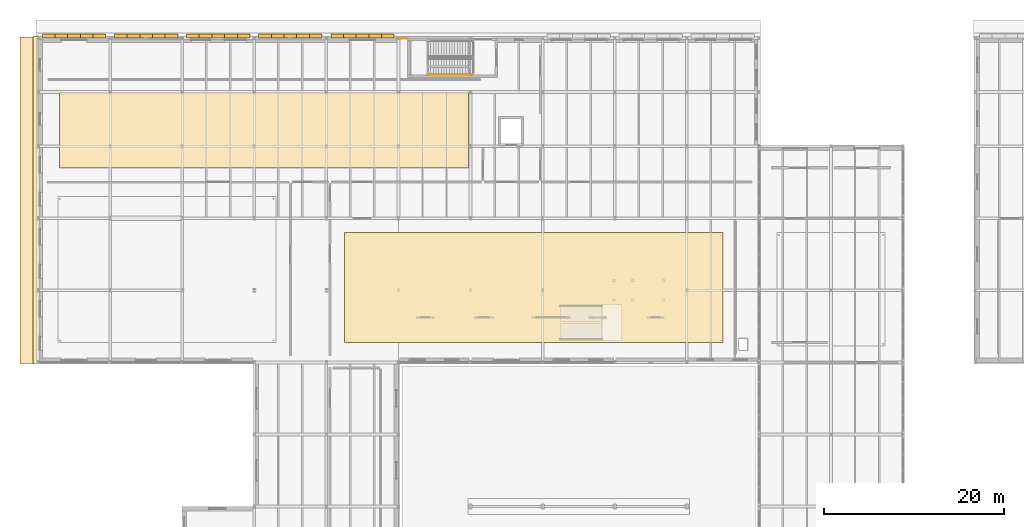
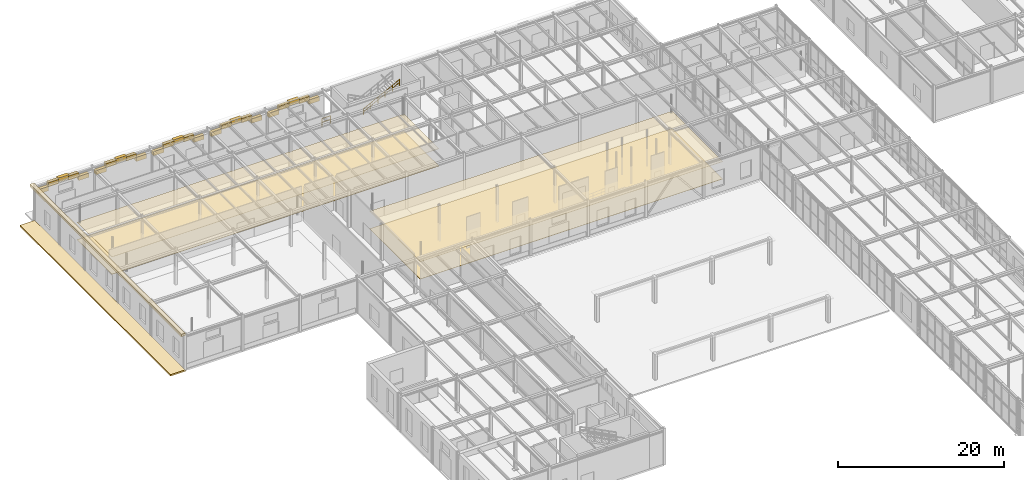
# One storey, part 117 of 129: 31 coverings, 2 railings.
"""IFC4 building model written with IfcOpenShell, lengths in metres."""

from ifc_helpers import new_model, si_unit, direction, frame, origin, origin_2d, place, context, subcontext, project, spatial, polyline, rectangle, circle, outline, extrude, material, layer, layer_set, type_object, element, save


model = new_model("IFC4")

# Units and contexts
model_context = context("Model", 3, precision=1e-05, world=origin(), true_north=direction((0.0, 1.0)))
body_context = subcontext(model_context, "Body", "Model", "MODEL_VIEW")
ifc_project = project(units=[si_unit("LENGTHUNIT", "METRE"), si_unit("AREAUNIT", "SQUARE_METRE"), si_unit("VOLUMEUNIT", "CUBIC_METRE"), si_unit("PLANEANGLEUNIT", "RADIAN"), si_unit("MASSUNIT", "GRAM", prefix="KILO")], contexts=[model_context])

# Site, building, storey
site_placement = place(None, origin())
site = spatial("IfcSite", under=ifc_project, at=site_placement, CompositionType="ELEMENT")
building_placement = place(site_placement, origin())
building = spatial("IfcBuilding", under=site, at=building_placement, Name="Sundkrona Museum", CompositionType="ELEMENT")
storey_placement = place(building_placement, origin())
storey = spatial("IfcBuildingStorey", under=building, at=storey_placement, Name="L00", CompositionType="ELEMENT", Elevation=0.0)

# Coverings
ifc_material_1 = material(Name="Perforated Acoustic Gypsum and Mineral Wool Ceiling", Category="other")
ifc_layer_1 = layer(ifc_material_1, 0.0400390625)
ifc_layer_set_1 = layer_set([ifc_layer_1], Name="Perforated Acoustic Gypsum and Mineral Wool Ceiling")
covering_type_1 = type_object("IfcCoveringType", Name="COV-CEIL-AC", PredefinedType="CEILING", material=ifc_layer_set_1)
covering_1_placement = place(storey_placement, frame((0.0, 0.0, 2.550048828125)))
element("IfcCovering", 1, at=covering_1_placement, inside=storey, type_object=covering_type_1, Name="L00 Sculpture Cloister Gallery Acoustic Ceiling", PredefinedType="CEILING", context=body_context, shape_type="SweptSolid", body=[
    extrude(outline(polyline([(34.0, 80.199951171875), (76.0, 80.199951171875), (76.0, 92.39990234375), (34.0, 92.39990234375), (34.0, 80.199951171875)])), origin(), (0.0, 0.0, 1.0), 0.0400390625),
])
covering_2_placement = place(storey_placement, frame((0.0, 0.0, 2.550048828125)))
element("IfcCovering", 2, at=covering_2_placement, inside=storey, type_object=covering_type_1, Name="L00 Temporary Exhibition Hall Acoustic Ceiling", PredefinedType="CEILING", context=body_context, shape_type="SweptSolid", body=[
    extrude(outline(polyline([(2.39990234375, 99.60009765625), (47.800048828125, 99.60009765625), (47.800048828125, 108.0), (2.39990234375, 108.0), (2.39990234375, 99.60009765625)])), origin(), (0.0, 0.0, 1.0), 0.0400390625),
])
ifc_material_2 = material(Name="Frost-Resistant Vitrified Stoneware Mosaic Cladding", Category="masonry")
ifc_layer_2 = layer(ifc_material_2, 0.044921875)
ifc_layer_set_2 = layer_set([ifc_layer_2], Name="Frost-Resistant Vitrified Stoneware Mosaic Cladding")
covering_type_2 = type_object("IfcCoveringType", Name="COV-CLD-MOS", PredefinedType="CLADDING", material=ifc_layer_set_2)
for number, where, z_axis, x_axis, name in (
    (3, (1.199951171875, 114.219970703125, 3.75390625), (0.0, 0.0, 1.0), (1.0, 0.0, 0.0), "Catalan Modernisme Parabolic Arch Voussoir NA-041"),
    (4, (2.60009765625, 114.219970703125, 4.305908203125), (0.0, 0.0, 1.0), (1.0, 0.0, 0.0), "Catalan Modernisme Parabolic Arch Voussoir NA-042"),
    (5, (4.0, 114.219970703125, 4.489990234375), (0.0, 0.0, 1.0), (1.0, 0.0, 0.0), "Catalan Modernisme Parabolic Arch Voussoir NA-043"),
    (6, (5.39990234375, 114.219970703125, 4.305908203125), (0.0, 0.0, 1.0), (1.0, 0.0, 0.0), "Catalan Modernisme Parabolic Arch Voussoir NA-044"),
    (7, (6.800048828125, 114.219970703125, 3.75390625), (0.0, 0.0, 1.0), (1.0, 0.0, 0.0), "Catalan Modernisme Parabolic Arch Voussoir NA-045"),
    (8, (9.199951171875, 114.219970703125, 3.75390625), (0.0, 0.0, 1.0), (1.0, 0.0, 0.0), "Catalan Modernisme Parabolic Arch Voussoir NA-046"),
    (9, (10.60009765625, 114.219970703125, 4.305908203125), (0.0, 0.0, 1.0), (1.0, 0.0, 0.0), "Catalan Modernisme Parabolic Arch Voussoir NA-047"),
    (10, (12.0, 114.219970703125, 4.489990234375), (0.0, 0.0, 1.0), (1.0, 0.0, 0.0), "Catalan Modernisme Parabolic Arch Voussoir NA-048"),
    (11, (13.39990234375, 114.219970703125, 4.305908203125), (0.0, 0.0, 1.0), (1.0, 0.0, 0.0), "Catalan Modernisme Parabolic Arch Voussoir NA-049"),
    (12, (14.800048828125, 114.219970703125, 3.75390625), (0.0, 0.0, 1.0), (1.0, 0.0, 0.0), "Catalan Modernisme Parabolic Arch Voussoir NA-050"),
    (13, (17.199951171875, 114.219970703125, 3.75390625), (0.0, 0.0, 1.0), (1.0, 0.0, 0.0), "Catalan Modernisme Parabolic Arch Voussoir NA-051"),
    (14, (18.60009765625, 114.219970703125, 4.305908203125), (0.0, 0.0, 1.0), (1.0, 0.0, 0.0), "Catalan Modernisme Parabolic Arch Voussoir NA-052"),
    (15, (20.0, 114.219970703125, 4.489990234375), (0.0, 0.0, 1.0), (1.0, 0.0, 0.0), "Catalan Modernisme Parabolic Arch Voussoir NA-053"),
    (16, (21.39990234375, 114.219970703125, 4.305908203125), (0.0, 0.0, 1.0), (1.0, 0.0, 0.0), "Catalan Modernisme Parabolic Arch Voussoir NA-054"),
    (17, (22.800048828125, 114.219970703125, 3.75390625), (0.0, 0.0, 1.0), (1.0, 0.0, 0.0), "Catalan Modernisme Parabolic Arch Voussoir NA-055"),
    (18, (25.199951171875, 114.219970703125, 3.75390625), (0.0, 0.0, 1.0), (1.0, 0.0, 0.0), "Catalan Modernisme Parabolic Arch Voussoir NA-056"),
    (19, (26.60009765625, 114.219970703125, 4.305908203125), (0.0, 0.0, 1.0), (1.0, 0.0, 0.0), "Catalan Modernisme Parabolic Arch Voussoir NA-057"),
    (20, (28.0, 114.219970703125, 4.489990234375), (0.0, 0.0, 1.0), (1.0, 0.0, 0.0), "Catalan Modernisme Parabolic Arch Voussoir NA-058"),
    (21, (29.39990234375, 114.219970703125, 4.305908203125), (0.0, 0.0, 1.0), (1.0, 0.0, 0.0), "Catalan Modernisme Parabolic Arch Voussoir NA-059"),
    (22, (30.800048828125, 114.219970703125, 3.75390625), (0.0, 0.0, 1.0), (1.0, 0.0, 0.0), "Catalan Modernisme Parabolic Arch Voussoir NA-060"),
    (23, (33.199951171875, 114.219970703125, 3.75390625), (0.0, 0.0, 1.0), (1.0, 0.0, 0.0), "Catalan Modernisme Parabolic Arch Voussoir NA-061"),
    (24, (34.60009765625, 114.219970703125, 4.305908203125), (0.0, 0.0, 1.0), (1.0, 0.0, 0.0), "Catalan Modernisme Parabolic Arch Voussoir NA-062"),
    (25, (36.0, 114.219970703125, 4.489990234375), (0.0, 0.0, 1.0), (1.0, 0.0, 0.0), "Catalan Modernisme Parabolic Arch Voussoir NA-063"),
    (26, (37.39990234375, 114.219970703125, 4.305908203125), (0.0, 0.0, 1.0), (1.0, 0.0, 0.0), "Catalan Modernisme Parabolic Arch Voussoir NA-064"),
    (27, (38.800048828125, 114.219970703125, 3.75390625), (0.0, 0.0, 1.0), (1.0, 0.0, 0.0), "Catalan Modernisme Parabolic Arch Voussoir NA-065"),
):
    element("IfcCovering", number, at=place(storey_placement, frame(where, z_axis=z_axis, x_axis=x_axis)), inside=storey, type_object=covering_type_2, Name=name, PredefinedType="CLADDING", context=body_context, shape_type="SweptSolid", body=[
        extrude(rectangle(XDim=1.419921875, YDim=0.4599609375, at=origin_2d()), origin(), (0.0, 0.0, 1.0), 0.6201171875),
    ])
covering_3_placement = place(storey_placement, frame((-0.280029296875, 96.0, 5.10986328125), z_axis=(0.0, 0.0, 1.0), x_axis=(1.0, 0.0, 0.0)))
element("IfcCovering", 28, at=covering_3_placement, inside=storey, type_object=covering_type_2, Name="Classical Corbelled Terracotta Cornice (CRN-V3-W)", PredefinedType="CLADDING", context=body_context, shape_type="SweptSolid", body=[
    extrude(rectangle(XDim=0.580078125, YDim=36.39990234375, at=origin_2d()), origin(), (0.0, 0.0, 1.0), 0.340087890625),
])
covering_4_placement = place(storey_placement, frame((0.0, 0.0, -0.219970703125)))
element("IfcCovering", 29, at=covering_4_placement, inside=storey, type_object=covering_type_2, Name="Granite Street and Forecourt Civic Plinth (COV-PLN-WEST)", PredefinedType="CLADDING", context=body_context, shape_type="SweptSolid", body=[
    extrude(outline(polyline([(-2.0, 77.89990234375), (0.050048828125, 77.89990234375), (0.050048828125, 114.10009765625), (-2.0, 114.10009765625), (-2.0, 77.89990234375)])), origin(), (0.0, 0.0, 1.0), 0.2099609375),
])
ifc_material_3 = material(Name="Polished Scanian Limestone Terrazzo Flooring", Category="masonry")
ifc_layer_3 = layer(ifc_material_3, 0.034912109375)
ifc_layer_set_3 = layer_set([ifc_layer_3], Name="Polished Scanian Limestone Terrazzo Flooring")
covering_type_3 = type_object("IfcCoveringType", Name="COV-FLR-TZ", PredefinedType="FLOORING", material=ifc_layer_set_3)
covering_5_placement = place(storey_placement, origin())
element("IfcCovering", 30, at=covering_5_placement, inside=storey, type_object=covering_type_3, Name="L00 Sculpture Cloister Gallery Terrazzo Flooring", PredefinedType="FLOORING", context=body_context, shape_type="SweptSolid", body=[
    extrude(outline(polyline([(34.0, 80.199951171875), (76.0, 80.199951171875), (76.0, 92.39990234375), (34.0, 92.39990234375), (34.0, 80.199951171875)])), origin(), (0.0, 0.0, 1.0), 0.034912109375),
])
covering_6_placement = place(storey_placement, origin())
element("IfcCovering", 31, at=covering_6_placement, inside=storey, type_object=covering_type_3, Name="L00 Temporary Exhibition Hall Terrazzo Flooring", PredefinedType="FLOORING", context=body_context, shape_type="SweptSolid", body=[
    extrude(outline(polyline([(2.39990234375, 99.60009765625), (47.800048828125, 99.60009765625), (47.800048828125, 108.0), (2.39990234375, 108.0), (2.39990234375, 99.60009765625)])), origin(), (0.0, 0.0, 1.0), 0.034912109375),
])

# Railings
ifc_material_4 = material(Name="Painted Steel S355J2 and Laminated Glass Balustrade", Category="steel")
railing_type_1 = type_object("IfcRailingType", Name="RL-GUARD-1100", PredefinedType="BALUSTRADE", material=ifc_material_4)
railing_1_placement = place(storey_placement, frame((39.85009765625, 113.93994140625, 0.0)))
element("IfcRailing", 32, at=railing_1_placement, inside=storey, type_object=railing_type_1, Name="L00 Edge Protection Balustrade 003", PredefinedType="BALUSTRADE", context=body_context, shape_type="SweptSolid", body=[
    extrude(circle(Radius=0.02392578125, at=origin_2d()), frame((0.0, 0.0, 1.09619140625), z_axis=(1.0, 0.0, 0.0), x_axis=(0.0, 1.0, 0.0)), (0.0, 0.0, 1.0), 1.14990234375),
    extrude(circle(Radius=0.02392578125, at=origin_2d()), frame((0.0, 0.0, 0.56005859375), z_axis=(1.0, 0.0, 0.0), x_axis=(0.0, 1.0, 0.0)), (0.0, 0.0, 1.0), 1.14990234375),
    extrude(circle(Radius=0.02099609375, at=origin_2d()), origin(), (0.0, 0.0, 1.0), 1.072021484375),
    extrude(circle(Radius=0.02099609375, at=origin_2d()), frame((1.14990234375, 0.0, 0.0)), (0.0, 0.0, 1.0), 1.072021484375),
])
ifc_material_5 = material(Name="Brushed Bronze-Clad Steel Handrail", Category="steel")
railing_type_2 = type_object("IfcRailingType", Name="RL-HAND-900", PredefinedType="HANDRAIL", material=ifc_material_5)
railing_2_placement = place(storey_placement, frame((43.284912109375, 109.949951171875, 2.85009765625)))
element("IfcRailing", 33, at=railing_2_placement, inside=storey, type_object=railing_type_2, Name="L00 ST-3 stair handrail 2", PredefinedType="HANDRAIL", context=body_context, shape_type="SweptSolid", body=[
    extrude(circle(Radius=0.02392578125, at=origin_2d()), frame((0.0, 0.0, 0.8759765625), z_axis=(0.891404147206, 0.0, 0.453209274336), x_axis=(0.0, 1.0, 0.0)), (0.0, 0.0, 1.0), 5.626220703125),
    extrude(circle(Radius=0.02392578125, at=origin_2d()), frame((0.0, 0.0, 0.449951171875), z_axis=(0.891404147206, 0.0, 0.453209274336), x_axis=(0.0, 1.0, 0.0)), (0.0, 0.0, 1.0), 5.626220703125),
    extrude(circle(Radius=0.02099609375, at=origin_2d()), origin(), (0.0, 0.0, 1.0), 0.851806640625),
    extrude(circle(Radius=0.02099609375, at=origin_2d()), frame((1.0029296875, 0.0, 0.510009765625)), (0.0, 0.0, 1.0), 0.851806640625),
    extrude(circle(Radius=0.02099609375, at=origin_2d()), frame((2.006103515625, 0.0, 1.02001953125)), (0.0, 0.0, 1.0), 0.851806640625),
    extrude(circle(Radius=0.02099609375, at=origin_2d()), frame((3.009033203125, 0.0, 1.52978515625)), (0.0, 0.0, 1.0), 0.851806640625),
    extrude(circle(Radius=0.02099609375, at=origin_2d()), frame((4.01220703125, 0.0, 2.039794921875)), (0.0, 0.0, 1.0), 0.851806640625),
    extrude(circle(Radius=0.02099609375, at=origin_2d()), frame((5.01513671875, 0.0, 2.5498046875)), (0.0, 0.0, 1.0), 0.851806640625),
])

save(model, "model.ifc")
